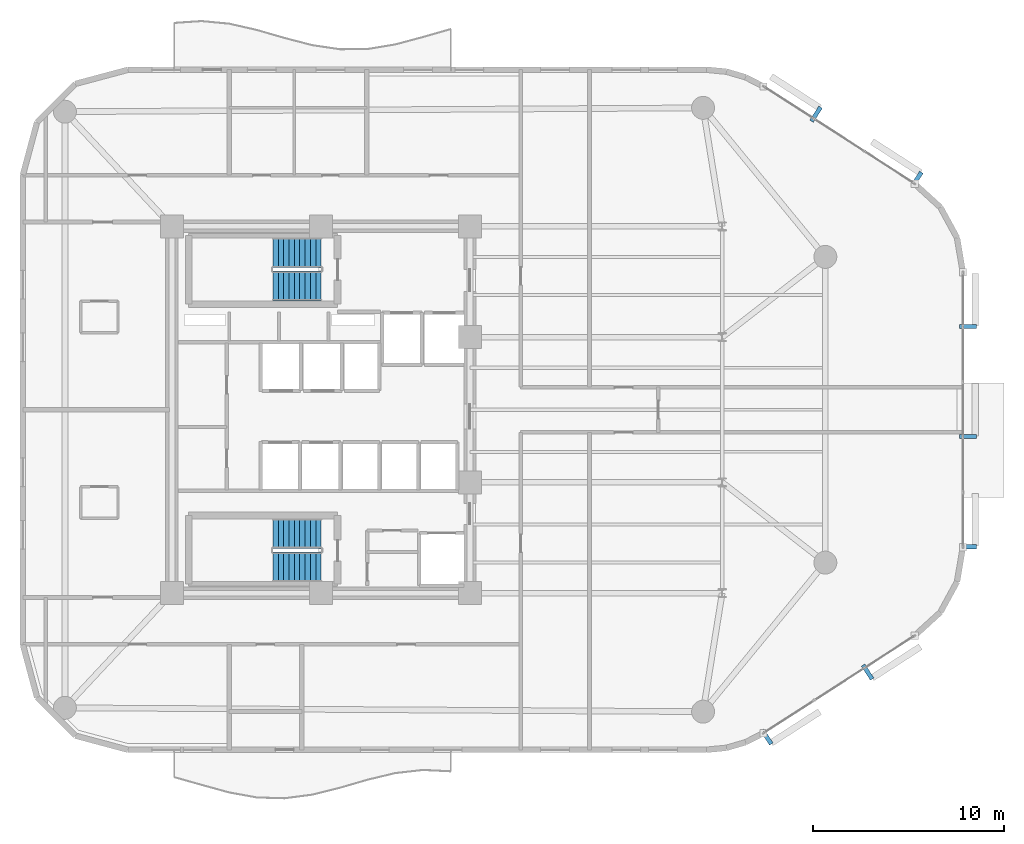
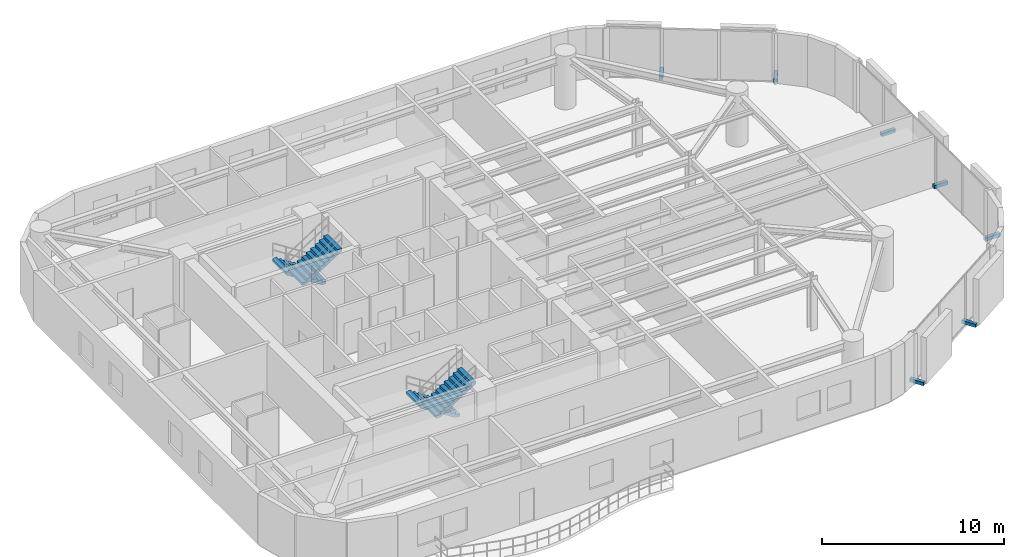
# One storey, part 13 of 15: 7 discrete accessories, 4 stair flights, 2 elements without a shape of their own.
"""IFC4 building model written with IfcOpenShell, lengths in metres."""

from ifc_helpers import new_model, si_unit, direction, frame, origin, origin_2d, place, context, subcontext, project, spatial, polyline, rectangle, outline, extrude, material, type_object, element, aggregate, save


model = new_model("IFC4")

# Units and contexts
model_context = context("Model", 3, precision=1e-05, world=origin(), true_north=direction((0.0, 1.0)))
body_context = subcontext(model_context, "Body", "Model", "MODEL_VIEW")
ifc_project = project(units=[si_unit("LENGTHUNIT", "METRE"), si_unit("AREAUNIT", "SQUARE_METRE"), si_unit("VOLUMEUNIT", "CUBIC_METRE"), si_unit("PLANEANGLEUNIT", "RADIAN"), si_unit("MASSUNIT", "GRAM", prefix="KILO")], contexts=[model_context])

# Site, building, storey
site_placement = place(None, origin())
site = spatial("IfcSite", under=ifc_project, at=site_placement, CompositionType="ELEMENT")
building_placement = place(site_placement, origin())
building = spatial("IfcBuilding", under=site, at=building_placement, Name="An Khanh Terracotta Commons", CompositionType="ELEMENT")
storey_placement = place(building_placement, frame((0.0, 0.0, 176.199951171875)))
storey = spatial("IfcBuildingStorey", under=building, at=storey_placement, Name="L46", CompositionType="ELEMENT", Elevation=176.199951171875)

# Stair, stair flights
ifc_material_1 = material(Name="Precast concrete C40/50", Category="concrete")
stair_type = type_object("IfcStairType", Name="STAIR-CORE-1550", PredefinedType="HALF_TURN_STAIR", material=ifc_material_1)
stair_1_placement = place(storey_placement, origin())
stair_1 = element("IfcStair", 1, at=stair_1_placement, inside=storey, type_object=stair_type, Name="L46 Core Smokeproof Exit Stair ST-01", PredefinedType="HALF_TURN_STAIR")
stair_flight_type = type_object("IfcStairFlightType", Name="FLIGHT-CORE-1550", PredefinedType="STRAIGHT", material=ifc_material_1)
stair_flight_1_placement = place(storey_placement, frame((29.409912109375, 32.22509765625, 0.0), z_axis=(0.0, 0.0, 1.0), x_axis=(-1.0, 0.0, 0.0)))
stair_flight_1 = element("IfcStairFlight", 2, at=stair_flight_1_placement, type_object=stair_flight_type, Name="ST-01 flight 1", NumberOfRisers=10, NumberOfTreads=9, PredefinedType="STRAIGHT", RiserHeight=0.18, TreadLength=0.28, context=body_context, shape_type="SweptSolid", body=[
    extrude(outline(polyline([(0.0, 0.0), (0.0, 0.179931640625), (0.280029296875, 0.179931640625), (0.280029296875, 0.360107421875), (0.56005859375, 0.360107421875), (0.56005859375, 0.5400390625), (0.840087890625, 0.5400390625), (0.840087890625, 0.719970703125), (1.1201171875, 0.719970703125), (1.1201171875, 0.89990234375), (1.39990234375, 0.89990234375), (1.39990234375, 1.080078125), (1.679931640625, 1.080078125), (1.679931640625, 1.260009765625), (1.9599609375, 1.260009765625), (1.9599609375, 1.43994140625), (2.239990234375, 1.43994140625), (2.239990234375, 1.6201171875), (2.52001953125, 1.6201171875), (2.52001953125, 1.800048828125), (2.52001953125, 1.44189453125), (0.277099609375, 0.0), (0.0, 0.0)])), frame((0.0, 0.77490234375, 0.0), z_axis=(0.0, -1.0, 0.0), x_axis=(1.0, 0.0, 0.0)), (0.0, 0.0, 1.0), 1.550048828125),
])
stair_flight_2_placement = place(storey_placement, frame((26.889892578125, 30.47509765625, 1.800048828125), z_axis=(0.0, 0.0, 1.0), x_axis=(1.0, 0.0, 0.0)))
stair_flight_2 = element("IfcStairFlight", 3, at=stair_flight_2_placement, type_object=stair_flight_type, Name="ST-01 flight 2", NumberOfRisers=10, NumberOfTreads=9, PredefinedType="STRAIGHT", RiserHeight=0.18, TreadLength=0.28, context=body_context, shape_type="SweptSolid", body=[
    extrude(outline(polyline([(0.0, 0.0), (0.0, 0.179931640625), (0.280029296875, 0.179931640625), (0.280029296875, 0.360107421875), (0.56005859375, 0.360107421875), (0.56005859375, 0.5400390625), (0.840087890625, 0.5400390625), (0.840087890625, 0.719970703125), (1.1201171875, 0.719970703125), (1.1201171875, 0.89990234375), (1.39990234375, 0.89990234375), (1.39990234375, 1.080078125), (1.679931640625, 1.080078125), (1.679931640625, 1.260009765625), (1.9599609375, 1.260009765625), (1.9599609375, 1.43994140625), (2.239990234375, 1.43994140625), (2.239990234375, 1.6201171875), (2.52001953125, 1.6201171875), (2.52001953125, 1.800048828125), (2.52001953125, 1.44189453125), (0.277099609375, 0.0), (0.0, 0.0)])), frame((0.0, 0.77490234375, 0.0), z_axis=(0.0, -1.0, 0.0), x_axis=(1.0, 0.0, 0.0)), (0.0, 0.0, 1.0), 1.550048828125),
])
aggregate(stair_1, [stair_flight_1, stair_flight_2])

stair_2_placement = place(storey_placement, origin())
stair_2 = element("IfcStair", 4, at=stair_2_placement, inside=storey, type_object=stair_type, Name="L46 Core Smokeproof Exit Stair ST-02", PredefinedType="HALF_TURN_STAIR")
stair_flight_3_placement = place(storey_placement, frame((29.409912109375, 17.52490234375, 0.0), z_axis=(0.0, 0.0, 1.0), x_axis=(-1.0, 0.0, 0.0)))
stair_flight_3 = element("IfcStairFlight", 5, at=stair_flight_3_placement, type_object=stair_flight_type, Name="ST-02 flight 1", NumberOfRisers=10, NumberOfTreads=9, PredefinedType="STRAIGHT", RiserHeight=0.18, TreadLength=0.28, context=body_context, shape_type="SweptSolid", body=[
    extrude(outline(polyline([(0.0, 0.0), (0.0, 0.179931640625), (0.280029296875, 0.179931640625), (0.280029296875, 0.360107421875), (0.56005859375, 0.360107421875), (0.56005859375, 0.5400390625), (0.840087890625, 0.5400390625), (0.840087890625, 0.719970703125), (1.1201171875, 0.719970703125), (1.1201171875, 0.89990234375), (1.39990234375, 0.89990234375), (1.39990234375, 1.080078125), (1.679931640625, 1.080078125), (1.679931640625, 1.260009765625), (1.9599609375, 1.260009765625), (1.9599609375, 1.43994140625), (2.239990234375, 1.43994140625), (2.239990234375, 1.6201171875), (2.52001953125, 1.6201171875), (2.52001953125, 1.800048828125), (2.52001953125, 1.44189453125), (0.277099609375, 0.0), (0.0, 0.0)])), frame((0.0, 0.77490234375, 0.0), z_axis=(0.0, -1.0, 0.0), x_axis=(1.0, 0.0, 0.0)), (0.0, 0.0, 1.0), 1.550048828125),
])
stair_flight_4_placement = place(storey_placement, frame((26.889892578125, 15.77490234375, 1.800048828125), z_axis=(0.0, 0.0, 1.0), x_axis=(1.0, 0.0, 0.0)))
stair_flight_4 = element("IfcStairFlight", 6, at=stair_flight_4_placement, type_object=stair_flight_type, Name="ST-02 flight 2", NumberOfRisers=10, NumberOfTreads=9, PredefinedType="STRAIGHT", RiserHeight=0.18, TreadLength=0.28, context=body_context, shape_type="SweptSolid", body=[
    extrude(outline(polyline([(0.0, 0.0), (0.0, 0.179931640625), (0.280029296875, 0.179931640625), (0.280029296875, 0.360107421875), (0.56005859375, 0.360107421875), (0.56005859375, 0.5400390625), (0.840087890625, 0.5400390625), (0.840087890625, 0.719970703125), (1.1201171875, 0.719970703125), (1.1201171875, 0.89990234375), (1.39990234375, 0.89990234375), (1.39990234375, 1.080078125), (1.679931640625, 1.080078125), (1.679931640625, 1.260009765625), (1.9599609375, 1.260009765625), (1.9599609375, 1.43994140625), (2.239990234375, 1.43994140625), (2.239990234375, 1.6201171875), (2.52001953125, 1.6201171875), (2.52001953125, 1.800048828125), (2.52001953125, 1.44189453125), (0.277099609375, 0.0), (0.0, 0.0)])), frame((0.0, 0.77490234375, 0.0), z_axis=(0.0, -1.0, 0.0), x_axis=(1.0, 0.0, 0.0)), (0.0, 0.0, 1.0), 1.550048828125),
])
aggregate(stair_2, [stair_flight_3, stair_flight_4])

# Discrete accessories
ifc_material_2 = material(Name="Stainless Steel Grade 316L", Category="steel")
discrete_accessory_type = type_object("IfcDiscreteAccessoryType", Name="Stainless Outrigger Facade Bracket", PredefinedType="BRACKET", material=ifc_material_2)
for number, where, z_axis, x_axis, name in (
    (7, (52.73291015625, 6.8720703125, 0.06982421875), (0.0, 0.0, 1.0), (0.840702081986, 0.541497931062, 0.0), "L46 Terracotta Screen Outrigger Bracket 1"),
    (8, (58.011962890625, 10.27197265625, 0.06982421875), (0.0, 0.0, 1.0), (0.840702081986, 0.541497931062, 0.0), "L46 Terracotta Screen Outrigger Bracket 3"),
    (9, (63.264892578125, 16.8349609375, 0.06982421875), (0.0, 0.0, 1.0), (0.0, 1.0, 0.0), "L46 Terracotta Screen Outrigger Bracket 1"),
    (10, (63.264892578125, 22.594970703125, 0.06982421875), (0.0, 0.0, 1.0), (0.0, 1.0, 0.0), "L46 Terracotta Screen Outrigger Bracket 3"),
    (11, (63.264892578125, 28.35498046875, 0.06982421875), (0.0, 0.0, 1.0), (0.0, 1.0, 0.0), "L46 Terracotta Screen Outrigger Bracket 5"),
    (12, (60.592041015625, 36.06591796875, 0.06982421875), (0.0, 0.0, 1.0), (-0.840702081986, 0.541497931062, 0.0), "L46 Terracotta Screen Outrigger Bracket 1"),
    (13, (55.31298828125, 39.466064453125, 0.06982421875), (0.0, 0.0, 1.0), (-0.840702081986, 0.541497931062, 0.0), "L46 Terracotta Screen Outrigger Bracket 3"),
):
    element("IfcDiscreteAccessory", number, at=place(storey_placement, frame(where, z_axis=z_axis, x_axis=x_axis)), inside=storey, type_object=discrete_accessory_type, Name=name, PredefinedType="BRACKET", context=body_context, shape_type="SweptSolid", body=[
        extrude(rectangle(XDim=0.219970703125, YDim=0.8701171875, at=origin_2d()), origin(), (0.0, 0.0, 1.0), 0.219970703125),
    ])

save(model, "model.ifc")
